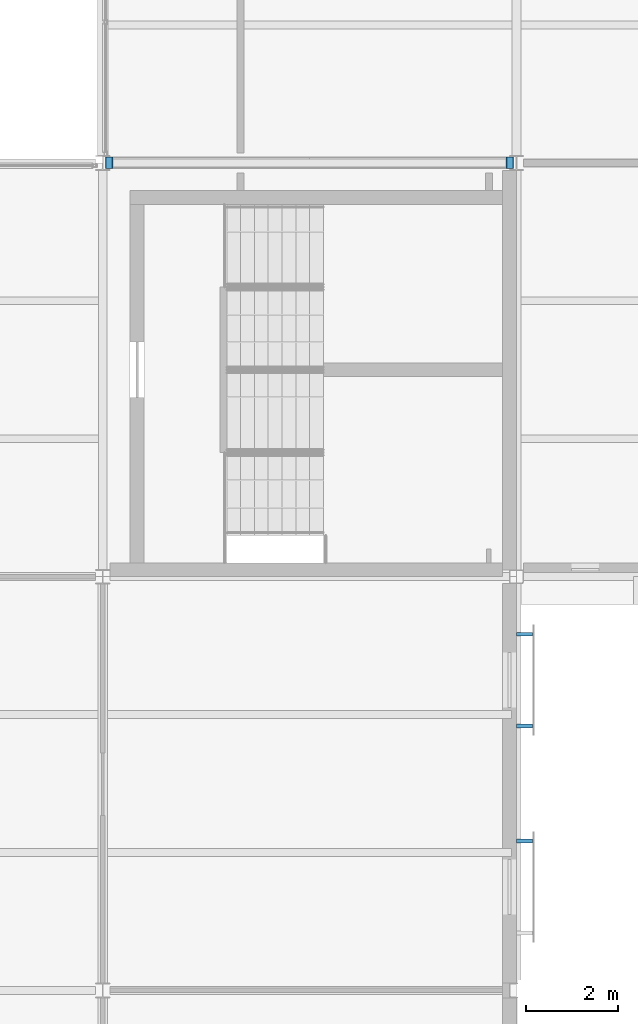
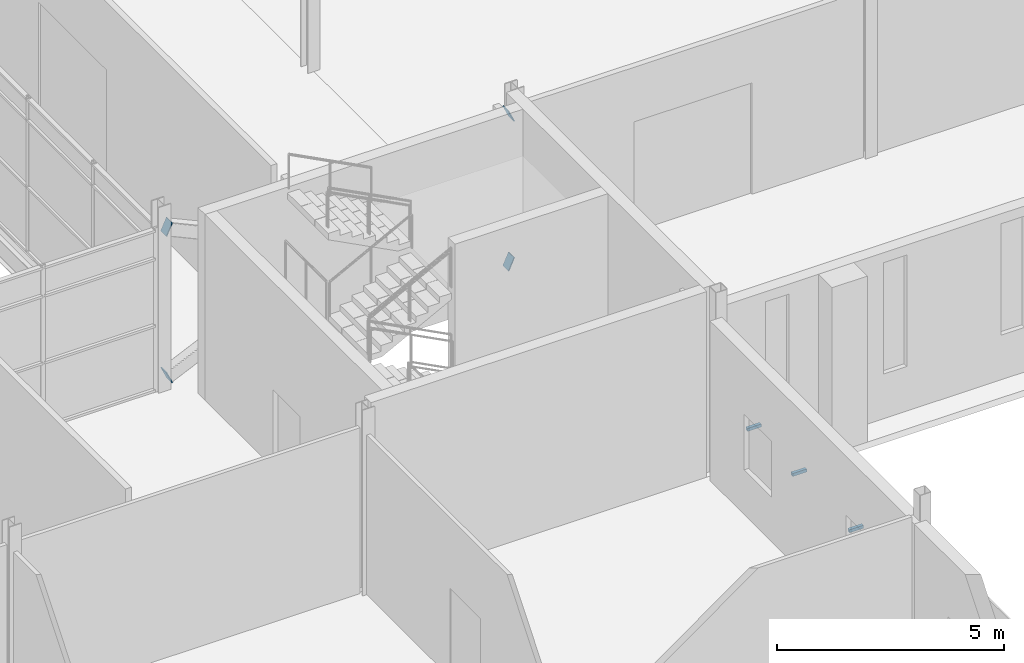
# One storey, part 99 of 112: 7 discrete accessories.
"""IFC4 building model written with IfcOpenShell, lengths in metres."""

from ifc_helpers import new_model, si_unit, direction, frame, origin, origin_2d, place, context, subcontext, project, spatial, polyline, rectangle, outline, extrude, material, layer, layer_set, type_object, element, save


model = new_model("IFC4")

# Units and contexts
model_context = context("Model", 3, precision=1e-05, world=origin(), true_north=direction((0.0, 1.0)))
body_context = subcontext(model_context, "Body", "Model", "MODEL_VIEW")
ifc_project = project(units=[si_unit("LENGTHUNIT", "METRE"), si_unit("AREAUNIT", "SQUARE_METRE"), si_unit("VOLUMEUNIT", "CUBIC_METRE"), si_unit("PLANEANGLEUNIT", "RADIAN"), si_unit("MASSUNIT", "GRAM", prefix="KILO")], contexts=[model_context])

# Site, building, storey
site_placement = place(None, origin())
site = spatial("IfcSite", under=ifc_project, at=site_placement, CompositionType="ELEMENT")
building_placement = place(site_placement, origin())
building = spatial("IfcBuilding", under=site, at=building_placement, Name="Shorebreak Coast Museum", CompositionType="ELEMENT")
storey_placement = place(building_placement, frame((0.0, 0.0, 6.0)))
storey = spatial("IfcBuildingStorey", under=building, at=storey_placement, Name="L01", CompositionType="ELEMENT", Elevation=6.0)

# Discrete accessories
ifc_material_1 = material(Name="Steel Grade 300", Category="steel")
ifc_layer = layer(ifc_material_1, 0.02490234375)
ifc_layer_set = layer_set([ifc_layer], Name="Steel Grade 300")
discrete_accessory_type_1 = type_object("IfcDiscreteAccessoryType", Name="End plate 250 x 350 x 25", PredefinedType="BRACKET", material=ifc_layer_set)
discrete_accessory_1_placement = place(storey_placement, frame((108.228271484375, 62.875, 0.140869140625), z_axis=(0.909383974787, 0.0, 0.415957673809), x_axis=(0.0, 1.0, 0.0)))
element("IfcDiscreteAccessory", 1, at=discrete_accessory_1_placement, inside=storey, type_object=discrete_accessory_type_1, Name="End plate X-brace bay 02 L01 diagonal 1 end 1", PredefinedType="BRACKET", context=body_context, shape_type="SweptSolid", body=[
    extrude(outline(polyline([(0.0, 0.0), (0.25, 0.0), (0.25, 0.34981398748477216), (0.0, 0.34981398748477216), (0.0, 0.0)])), origin(), (0.0, 0.0, -1.0), 0.02490234375),
])
discrete_accessory_2_placement = place(storey_placement, frame((116.94091796875, 62.875, 4.126220703125), z_axis=(0.909504613819, 0.0, 0.415693826562), x_axis=(0.0, 1.0, 0.0)))
element("IfcDiscreteAccessory", 2, at=discrete_accessory_2_placement, inside=storey, type_object=discrete_accessory_type_1, Name="End plate X-brace bay 02 L01 diagonal 1 end 2", PredefinedType="BRACKET", context=body_context, shape_type="SweptSolid", body=[
    extrude(outline(polyline([(0.0, 0.0), (0.25, 0.0), (0.25, 0.3500360197878581), (0.0, 0.3500360197878581), (0.0, 0.0)])), origin(), (0.0, 0.0, -1.0), 0.02490234375),
])
discrete_accessory_3_placement = place(storey_placement, frame((116.772705078125, 63.125, 0.140869140625), z_axis=(-0.909383974787, 0.0, 0.415957673809), x_axis=(0.0, -1.0, 0.0)))
element("IfcDiscreteAccessory", 3, at=discrete_accessory_3_placement, inside=storey, type_object=discrete_accessory_type_1, Name="End plate X-brace bay 02 L01 diagonal 2 end 1", PredefinedType="BRACKET", context=body_context, shape_type="SweptSolid", body=[
    extrude(outline(polyline([(0.0, 0.0), (0.25, 0.0), (0.25, 0.34981398748477216), (0.0, 0.34981398748477216), (0.0, 0.0)])), origin(), (0.0, 0.0, -1.0), 0.02490234375),
])
discrete_accessory_4_placement = place(storey_placement, frame((108.06005859375, 63.125, 4.126220703125), z_axis=(-0.909504613819, 0.0, 0.415693826562), x_axis=(0.0, -1.0, 0.0)))
element("IfcDiscreteAccessory", 4, at=discrete_accessory_4_placement, inside=storey, type_object=discrete_accessory_type_1, Name="End plate X-brace bay 02 L01 diagonal 2 end 2", PredefinedType="BRACKET", context=body_context, shape_type="SweptSolid", body=[
    extrude(outline(polyline([(0.0, 0.0), (0.25, 0.0), (0.25, 0.3500360197878581), (0.0, 0.3500360197878581), (0.0, 0.0)])), origin(), (0.0, 0.0, -1.0), 0.02490234375),
])
ifc_material_2 = material(Name="Aluminium", Category="aluminium")
discrete_accessory_type_2 = type_object("IfcDiscreteAccessoryType", Name="Fixing bracket 80 x 350", PredefinedType="BRACKET", material=ifc_material_2)
for number, where, z_axis, x_axis, name in (
    (5, (117.175048828125, 48.25, 1.909912109375), (0.0, 0.0, 1.0), (1.0, 0.0, 0.0), "Fixing bracket"),
    (6, (117.175048828125, 50.75, 1.909912109375), (0.0, 0.0, 1.0), (1.0, 0.0, 0.0), "Fixing bracket"),
    (7, (117.175048828125, 52.75, 1.909912109375), (0.0, 0.0, 1.0), (1.0, 0.0, 0.0), "Fixing bracket"),
):
    element("IfcDiscreteAccessory", number, at=place(storey_placement, frame(where, z_axis=z_axis, x_axis=x_axis)), inside=storey, type_object=discrete_accessory_type_2, Name=name, PredefinedType="BRACKET", context=body_context, shape_type="SweptSolid", body=[
        extrude(rectangle(XDim=0.35009765625, YDim=0.080078125, at=origin_2d()), origin(), (0.0, 0.0, 1.0), 0.080078125),
    ])

save(model, "model.ifc")
